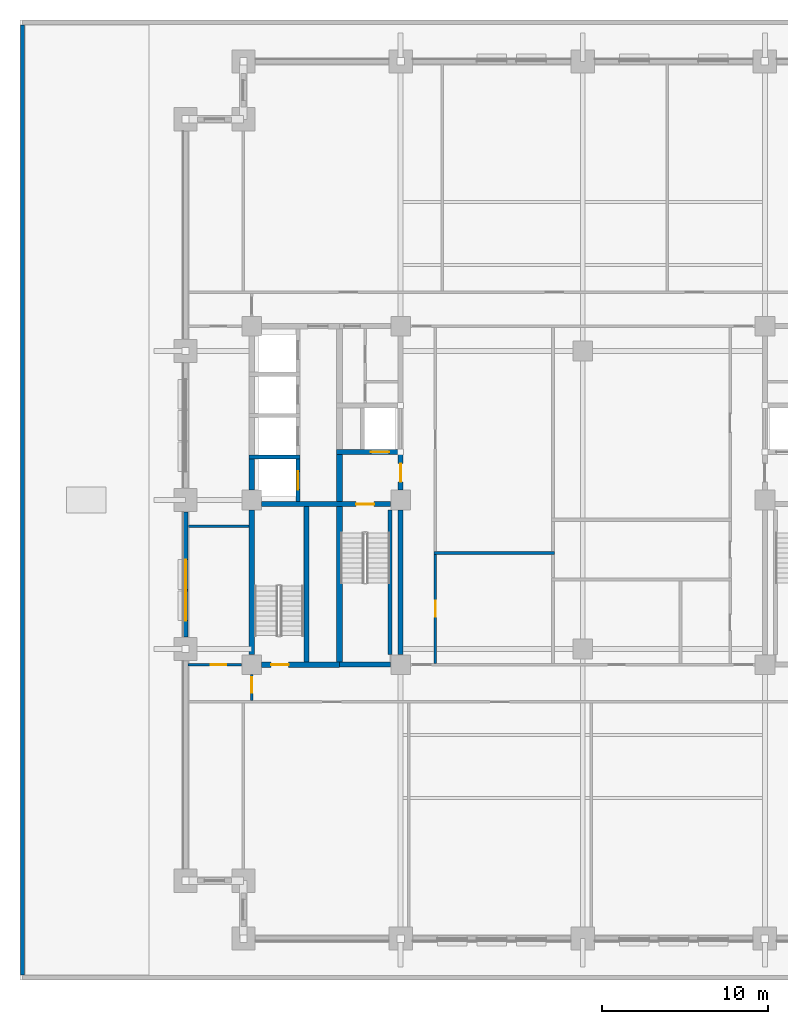
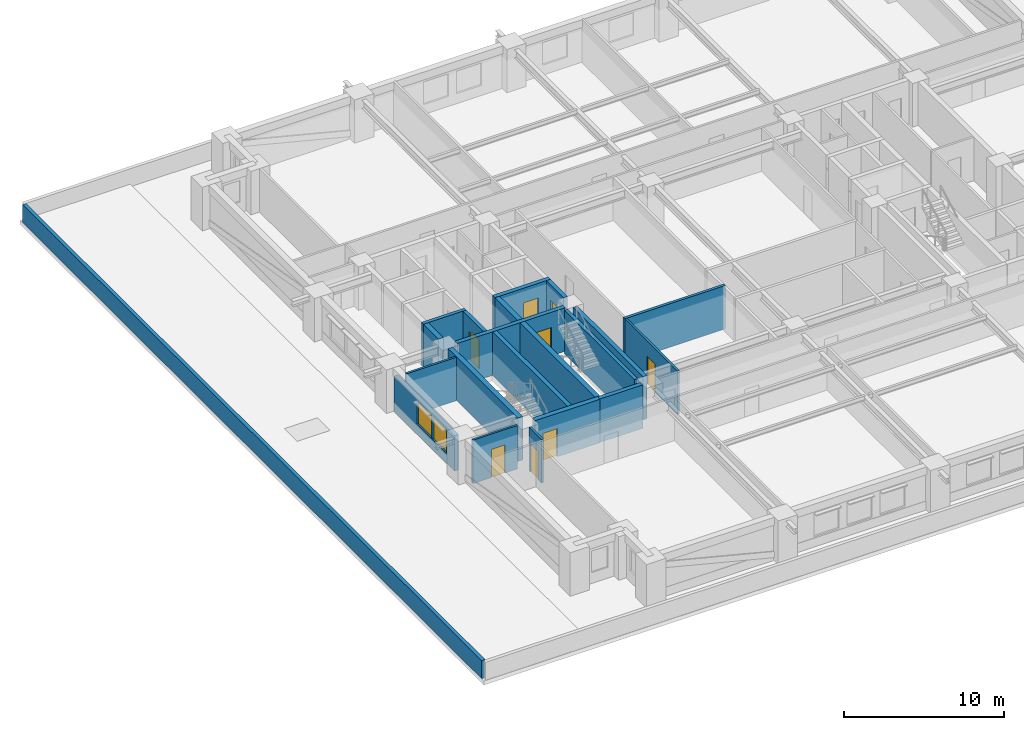
# One storey, part 3 of 12: 21 walls, 8 doors, 2 windows, 10 openings.
"""IFC4 building model written with IfcOpenShell, lengths in metres."""

from ifc_helpers import new_model, si_unit, direction, frame, frame_2d, origin, place, context, subcontext, project, spatial, rectangle, extrude, material, layer, layer_set, type_object, element, fill, save


model = new_model("IFC4")

# Units and contexts
model_context = context("Model", 3, precision=1e-05, world=origin(), true_north=direction((0.0, 1.0)))
body_context = subcontext(model_context, "Body", "Model", "MODEL_VIEW")
ifc_project = project(units=[si_unit("LENGTHUNIT", "METRE"), si_unit("AREAUNIT", "SQUARE_METRE"), si_unit("VOLUMEUNIT", "CUBIC_METRE"), si_unit("PLANEANGLEUNIT", "RADIAN"), si_unit("MASSUNIT", "GRAM", prefix="KILO")], contexts=[model_context])

# Site, building, storey
site_placement = place(None, origin())
site = spatial("IfcSite", under=ifc_project, at=site_placement, CompositionType="ELEMENT")
building_placement = place(site_placement, origin())
building = spatial("IfcBuilding", under=site, at=building_placement, Name="Zulmaris Gate Convention Tower", CompositionType="ELEMENT")
storey_placement = place(building_placement, frame((0.0, 0.0, 27.199951171875)))
storey = spatial("IfcBuildingStorey", under=building, at=storey_placement, Name="L05", CompositionType="ELEMENT", Elevation=27.199951171875)

# Wall
ifc_material_1 = material(Name="Concrete C50/60", Category="concrete")
ifc_layer_1 = layer(ifc_material_1, 0.25, Name="Concrete C50/60")
ifc_layer_set_1 = layer_set([ifc_layer_1], Name="Concrete C50/60")
wall_type_1 = type_object("IfcWallType", Name="CORE-250", PredefinedType="SOLIDWALL", material=ifc_layer_set_1)
wall_1_placement = place(storey_placement, frame((-20.175048828125, 2.60009765625, 0.0), z_axis=(0.0, 0.0, 1.0), x_axis=(1.0, 0.0, 0.0)))
element("IfcWall", 1, at=wall_1_placement, inside=storey, type_object=wall_type_1, Name="WL-L05-009", PredefinedType="SOLIDWALL", context=body_context, shape_type="SweptSolid", body=[
    extrude(rectangle(XDim=3.10009765625, YDim=0.25, at=frame_2d((1.550048828125, 0.0))), origin(), (0.0, 0.0, 1.0), 3.320068359375),
])

# Wall, opening, door
wall_2_placement = place(storey_placement, frame((-17.199951171875, -0.097900390625, 0.0), z_axis=(0.0, 0.0, 1.0), x_axis=(0.0, 1.0, 0.0)))
wall_2 = element("IfcWall", 2, at=wall_2_placement, inside=storey, type_object=wall_type_1, Name="WL-L05-042", PredefinedType="SOLIDWALL", context=body_context, shape_type="SweptSolid", body=[
    extrude(rectangle(XDim=2.57080078125, YDim=0.25, at=frame_2d((1.285400390625, 0.0))), origin(), (0.0, 0.0, 1.0), 3.320068359375),
])
opening_1_placement = place(wall_2_placement, frame((0.722900390625, 0.0, 0.0)))
opening_1 = element("IfcOpeningElement", 3, at=opening_1_placement, cuts=wall_2, Name="Opening D-06", PredefinedType="OPENING", context=body_context, shape_type="SweptSolid", body=[
    extrude(rectangle(XDim=1.10009765625, YDim=2.199951171875, at=frame_2d((0.550048828125, 1.10009765625))), frame((0.0, 0.135009765625, 0.0), z_axis=(0.0, -1.0, 0.0), x_axis=(1.0, 0.0, 0.0)), (0.0, 0.0, 1.0), 0.27001953125),
])
ifc_material_2 = material(Name="Brushed Stainless Steel", Category="steel")
door_type_1 = type_object("IfcDoorType", Name="LD-1100", OperationType="NOTDEFINED", PredefinedType="DOOR", material=ifc_material_2)
door_1_placement = place(opening_1_placement, origin())
door_1 = element("IfcDoor", 4, at=door_1_placement, inside=storey, type_object=door_type_1, Name="L05 Lift Landing Door LP-01 15", OperationType="SLIDING_TO_LEFT", OverallHeight=2.199951171875, OverallWidth=1.10009765625, PredefinedType="DOOR", context=body_context, shape_type="SweptSolid", body=[
    extrude(rectangle(XDim=1.10009765625, YDim=2.199951171875, at=frame_2d((0.550048828125, 1.10009765625))), frame((0.0, 0.02490234375, 0.0), z_axis=(0.0, -1.0, 0.0), x_axis=(1.0, 0.0, 0.0)), (0.0, 0.0, 1.0), 0.050048828125),
])
fill(opening_1, door_1)

# Walls
wall_3_placement = place(storey_placement, frame((-11.64990234375, -9.345947265625, 0.0), z_axis=(0.0, 0.0, 1.0), x_axis=(0.0, 1.0, 0.0)))
element("IfcWall", 5, at=wall_3_placement, inside=storey, type_object=wall_type_1, Name="WL-L05-052", PredefinedType="SOLIDWALL", context=body_context, shape_type="SweptSolid", body=[
    extrude(rectangle(XDim=8.741943359375, YDim=0.25, at=frame_2d((4.37109375, 0.0))), origin(), (0.0, 0.0, 1.0), 3.320068359375),
])
ifc_layer_2 = layer(ifc_material_1, 0.300048828125, Name="Concrete C50/60")
ifc_layer_set_2 = layer_set([ifc_layer_2], Name="Concrete C50/60")
wall_type_2 = type_object("IfcWallType", Name="CORE-300", PredefinedType="SHEAR", material=ifc_layer_set_2)
wall_4_placement = place(storey_placement, frame((-14.699951171875, -9.949951171875, 0.0), z_axis=(0.0, 0.0, 1.0), x_axis=(1.0, 0.0, 0.0)))
element("IfcWall", 6, at=wall_4_placement, inside=storey, type_object=wall_type_2, Name="WL-L05-002", PredefinedType="SHEAR", context=body_context, shape_type="SweptSolid", body=[
    extrude(rectangle(XDim=3.095947265625, YDim=0.300048828125, at=frame_2d((1.5478515625, 0.0))), origin(), (0.0, 0.0, 1.0), 3.320068359375),
])

# Wall, opening, door
wall_5_placement = place(storey_placement, frame((-19.39599609375, -0.25, 0.0), z_axis=(0.0, 0.0, 1.0), x_axis=(1.0, 0.0, 0.0)))
wall_5 = element("IfcWall", 7, at=wall_5_placement, inside=storey, type_object=wall_type_2, Name="WL-L05-007", PredefinedType="SHEAR", context=body_context, shape_type="SweptSolid", body=[
    extrude(rectangle(XDim=7.7919921875, YDim=0.300048828125, at=frame_2d((3.89599609375, 0.0))), origin(), (0.0, 0.0, 1.0), 3.320068359375),
])
opening_2_placement = place(wall_5_placement, frame((5.696044921875, 0.0, 0.0)))
opening_2 = element("IfcOpeningElement", 8, at=opening_2_placement, cuts=wall_5, Name="Opening D-08", PredefinedType="OPENING", context=body_context, shape_type="SweptSolid", body=[
    extrude(rectangle(XDim=1.10009765625, YDim=2.14990234375, at=frame_2d((0.550048828125, 1.074951171875))), frame((0.0, 0.16015625, 0.0), z_axis=(0.0, -1.0, 0.0), x_axis=(1.0, 0.0, 0.0)), (0.0, 0.0, 1.0), 0.320068359375),
])
ifc_material_3 = material(Name="Fire-Rated Steel", Category="steel")
door_type_2 = type_object("IfcDoorType", Name="DR-1100-FD", OperationType="NOTDEFINED", PredefinedType="DOOR", material=ifc_material_3)
door_2_placement = place(opening_2_placement, origin())
door_2 = element("IfcDoor", 9, at=door_2_placement, inside=storey, type_object=door_type_2, Name="L05 Exit Stair ST-1 Door 01", OperationType="SINGLE_SWING_LEFT", OverallHeight=2.14990234375, OverallWidth=1.10009765625, PredefinedType="DOOR", context=body_context, shape_type="SweptSolid", body=[
    extrude(rectangle(XDim=1.10009765625, YDim=2.14990234375, at=frame_2d((0.550048828125, 1.074951171875))), frame((0.0, 0.02490234375, 0.0), z_axis=(0.0, -1.0, 0.0), x_axis=(1.0, 0.0, 0.0)), (0.0, 0.0, 1.0), 0.050048828125),
])
fill(opening_2, door_2)

wall_6_placement = place(storey_placement, frame((-14.875, 2.89990234375, 0.0), z_axis=(0.0, 0.0, 1.0), x_axis=(1.0, 0.0, 0.0)))
wall_6 = element("IfcWall", 10, at=wall_6_placement, inside=storey, type_object=wall_type_2, Name="WL-L05-010", PredefinedType="SHEAR", context=body_context, shape_type="SweptSolid", body=[
    extrude(rectangle(XDim=4.02490234375, YDim=0.300048828125, at=frame_2d((2.012451171875, 0.0))), origin(), (0.0, 0.0, 1.0), 3.320068359375),
])
opening_3_placement = place(wall_6_placement, frame((2.074951171875, 0.0, 0.0)))
opening_3 = element("IfcOpeningElement", 11, at=opening_3_placement, cuts=wall_6, Name="Opening D-06", PredefinedType="OPENING", context=body_context, shape_type="SweptSolid", body=[
    extrude(rectangle(XDim=1.10009765625, YDim=2.199951171875, at=frame_2d((0.550048828125, 1.10009765625))), frame((0.0, 0.16015625, 0.0), z_axis=(0.0, -1.0, 0.0), x_axis=(1.0, 0.0, 0.0)), (0.0, 0.0, 1.0), 0.320068359375),
])
door_3_placement = place(opening_3_placement, origin())
door_3 = element("IfcDoor", 12, at=door_3_placement, inside=storey, type_object=door_type_1, Name="L05 Lift Landing Door LF-01 03", OperationType="SLIDING_TO_LEFT", OverallHeight=2.199951171875, OverallWidth=1.10009765625, PredefinedType="DOOR", context=body_context, shape_type="SweptSolid", body=[
    extrude(rectangle(XDim=1.10009765625, YDim=2.199951171875, at=frame_2d((0.550048828125, 1.10009765625))), frame((0.0, 0.02490234375, 0.0), z_axis=(0.0, -1.0, 0.0), x_axis=(1.0, 0.0, 0.0)), (0.0, 0.0, 1.0), 0.050048828125),
])
fill(opening_3, door_3)

# Walls
wall_7_placement = place(storey_placement, frame((-16.699951171875, -9.77294921875, 0.0), z_axis=(0.0, 0.0, 1.0), x_axis=(0.0, 1.0, 0.0)))
element("IfcWall", 13, at=wall_7_placement, inside=storey, type_object=wall_type_2, Name="WL-L05-046", PredefinedType="SHEAR", context=body_context, shape_type="SweptSolid", body=[
    extrude(rectangle(XDim=9.370849609375, YDim=0.300048828125, at=frame_2d((4.685546875, 0.0))), origin(), (0.0, 0.0, 1.0), 3.320068359375),
])
wall_8_placement = place(storey_placement, frame((-11.0, -9.345947265625, 0.0), z_axis=(0.0, 0.0, 1.0), x_axis=(0.0, 1.0, 0.0)))
element("IfcWall", 14, at=wall_8_placement, inside=storey, type_object=wall_type_2, Name="WL-L05-053", PredefinedType="SHEAR", context=body_context, shape_type="SweptSolid", body=[
    extrude(rectangle(XDim=8.741943359375, YDim=0.300048828125, at=frame_2d((4.37109375, 0.0))), origin(), (0.0, 0.0, 1.0), 3.320068359375),
])

# Wall, opening, door
wall_9_placement = place(storey_placement, frame((-11.0, 0.60400390625, 0.0), z_axis=(0.0, 0.0, 1.0), x_axis=(0.0, 1.0, 0.0)))
wall_9 = element("IfcWall", 15, at=wall_9_placement, inside=storey, type_object=wall_type_2, Name="WL-L05-054", PredefinedType="SHEAR", context=body_context, shape_type="SweptSolid", body=[
    extrude(rectangle(XDim=2.14404296875, YDim=0.300048828125, at=frame_2d((1.072021484375, 0.0))), origin(), (0.0, 0.0, 1.0), 3.320068359375),
])
opening_4_placement = place(wall_9_placement, frame((0.49609375, 0.0, 0.0)))
opening_4 = element("IfcOpeningElement", 16, at=opening_4_placement, cuts=wall_9, Name="Opening D-08", PredefinedType="OPENING", context=body_context, shape_type="SweptSolid", body=[
    extrude(rectangle(XDim=1.10009765625, YDim=2.14990234375, at=frame_2d((0.550048828125, 1.074951171875))), frame((0.0, 0.16015625, 0.0), z_axis=(0.0, -1.0, 0.0), x_axis=(1.0, 0.0, 0.0)), (0.0, 0.0, 1.0), 0.320068359375),
])
door_4_placement = place(opening_4_placement, origin())
door_4 = element("IfcDoor", 17, at=door_4_placement, inside=storey, type_object=door_type_2, Name="L05 West Firefighting Lobby Door 02", OperationType="SINGLE_SWING_RIGHT", OverallHeight=2.14990234375, OverallWidth=1.10009765625, PredefinedType="DOOR", context=body_context, shape_type="SweptSolid", body=[
    extrude(rectangle(XDim=1.10009765625, YDim=2.14990234375, at=frame_2d((0.550048828125, 1.074951171875))), frame((0.0, 0.02490234375, 0.0), z_axis=(0.0, -1.0, 0.0), x_axis=(1.0, 0.0, 0.0)), (0.0, 0.0, 1.0), 0.050048828125),
])
fill(opening_4, door_4)

ifc_material_4 = material(Name="Concrete C55/67", Category="concrete")
ifc_layer_3 = layer(ifc_material_4, 0.35009765625, Name="Concrete C55/67")
ifc_layer_set_3 = layer_set([ifc_layer_3], Name="Concrete C55/67")
wall_type_3 = type_object("IfcWallType", Name="CORE-350", PredefinedType="SHEAR", material=ifc_layer_set_3)
wall_10_placement = place(storey_placement, frame((-19.39599609375, -9.949951171875, 0.0), z_axis=(0.0, 0.0, 1.0), x_axis=(1.0, 0.0, 0.0)))
wall_10 = element("IfcWall", 18, at=wall_10_placement, inside=storey, type_object=wall_type_3, Name="WL-L05-001", PredefinedType="SHEAR", context=body_context, shape_type="SweptSolid", body=[
    extrude(rectangle(XDim=4.696044921875, YDim=0.35009765625, at=frame_2d((2.34814453125, 0.0))), origin(), (0.0, 0.0, 1.0), 3.320068359375),
])
opening_5_placement = place(wall_10_placement, frame((0.571044921875, 0.0, 0.0)))
opening_5 = element("IfcOpeningElement", 19, at=opening_5_placement, cuts=wall_10, Name="Opening D-09", PredefinedType="OPENING", context=body_context, shape_type="SweptSolid", body=[
    extrude(rectangle(XDim=1.050048828125, YDim=2.14990234375, at=frame_2d((0.52490234375, 1.074951171875))), frame((0.0, 0.18505859375, 0.0), z_axis=(0.0, -1.0, 0.0), x_axis=(1.0, 0.0, 0.0)), (0.0, 0.0, 1.0), 0.3701171875),
])
door_type_3 = type_object("IfcDoorType", Name="DR-1050-FD", OperationType="NOTDEFINED", PredefinedType="DOOR", material=ifc_material_3)
door_5_placement = place(opening_5_placement, origin())
door_5 = element("IfcDoor", 20, at=door_5_placement, inside=storey, type_object=door_type_3, Name="L05 Exit Stair ST-3 Door 13", OperationType="SINGLE_SWING_LEFT", OverallHeight=2.14990234375, OverallWidth=1.050048828125, PredefinedType="DOOR", context=body_context, shape_type="SweptSolid", body=[
    extrude(rectangle(XDim=1.050048828125, YDim=2.14990234375, at=frame_2d((0.52490234375, 1.074951171875))), frame((0.0, 0.02490234375, 0.0), z_axis=(0.0, -1.0, 0.0), x_axis=(1.0, 0.0, 0.0)), (0.0, 0.0, 1.0), 0.050048828125),
])
fill(opening_5, door_5)

# Walls
wall_11_placement = place(storey_placement, frame((-20.0, -9.345947265625, 0.0), z_axis=(0.0, 0.0, 1.0), x_axis=(0.0, 1.0, 0.0)))
element("IfcWall", 21, at=wall_11_placement, inside=storey, type_object=wall_type_3, Name="WL-L05-037", PredefinedType="SHEAR", context=body_context, shape_type="SweptSolid", body=[
    extrude(rectangle(XDim=8.741943359375, YDim=0.35009765625, at=frame_2d((4.37109375, 0.0))), origin(), (0.0, 0.0, 1.0), 3.320068359375),
])
wall_12_placement = place(storey_placement, frame((-20.0, 0.60400390625, 0.0), z_axis=(0.0, 0.0, 1.0), x_axis=(0.0, 1.0, 0.0)))
element("IfcWall", 22, at=wall_12_placement, inside=storey, type_object=wall_type_3, Name="WL-L05-038", PredefinedType="SHEAR", context=body_context, shape_type="SweptSolid", body=[
    extrude(rectangle(XDim=1.868896484375, YDim=0.35009765625, at=frame_2d((0.9345703125, 0.0))), origin(), (0.0, 0.0, 1.0), 3.320068359375),
])
wall_13_placement = place(storey_placement, frame((-14.699951171875, -9.77294921875, 0.0), z_axis=(0.0, 0.0, 1.0), x_axis=(0.0, 1.0, 0.0)))
element("IfcWall", 23, at=wall_13_placement, inside=storey, type_object=wall_type_3, Name="WL-L05-047", PredefinedType="SHEAR", context=body_context, shape_type="SweptSolid", body=[
    extrude(rectangle(XDim=9.370849609375, YDim=0.35009765625, at=frame_2d((4.685546875, 0.0))), origin(), (0.0, 0.0, 1.0), 3.320068359375),
])
wall_14_placement = place(storey_placement, frame((-14.699951171875, -0.097900390625, 0.0), z_axis=(0.0, 0.0, 1.0), x_axis=(0.0, 1.0, 0.0)))
element("IfcWall", 24, at=wall_14_placement, inside=storey, type_object=wall_type_3, Name="WL-L05-048", PredefinedType="SHEAR", context=body_context, shape_type="SweptSolid", body=[
    extrude(rectangle(XDim=2.845947265625, YDim=0.35009765625, at=frame_2d((1.4228515625, 0.0))), origin(), (0.0, 0.0, 1.0), 3.320068359375),
])

# Wall, opening, door
ifc_material_5 = material(Name="Gypsum Metal Stud Partition")
ifc_layer_4 = layer(ifc_material_5, 0.14990234375, Name="Gypsum Metal Stud Partition")
ifc_layer_set_4 = layer_set([ifc_layer_4], Name="Gypsum Metal Stud Partition")
wall_type_4 = type_object("IfcWallType", Name="PART-150", PredefinedType="PARTITIONING", material=ifc_layer_set_4)
wall_15_placement = place(storey_placement, frame((-23.8349609375, -9.949951171875, 0.0), z_axis=(0.0, 0.0, 1.0), x_axis=(1.0, 0.0, 0.0)))
wall_15 = element("IfcWall", 25, at=wall_15_placement, inside=storey, type_object=wall_type_4, Name="WL-L05-021", PredefinedType="PARTITIONING", context=body_context, shape_type="SweptSolid", body=[
    extrude(rectangle(XDim=3.22900390625, YDim=0.14990234375, at=frame_2d((1.614501953125, 0.0))), origin(), (0.0, 0.0, 1.0), 3.320068359375),
])
opening_6_placement = place(wall_15_placement, frame((1.360107421875, 0.0, 0.0)))
opening_6 = element("IfcOpeningElement", 26, at=opening_6_placement, cuts=wall_15, Name="Opening D-11", PredefinedType="OPENING", context=body_context, shape_type="SweptSolid", body=[
    extrude(rectangle(XDim=0.949951171875, YDim=2.14990234375, at=frame_2d((0.47509765625, 1.074951171875))), frame((0.0, 0.0849609375, 0.0), z_axis=(0.0, -1.0, 0.0), x_axis=(1.0, 0.0, 0.0)), (0.0, 0.0, 1.0), 0.169921875),
])
ifc_material_6 = material(Name="Fire-Rated Timber", Category="wood")
door_type_4 = type_object("IfcDoorType", Name="DR-950-FD", OperationType="NOTDEFINED", PredefinedType="DOOR", material=ifc_material_6)
door_6_placement = place(opening_6_placement, origin())
door_6 = element("IfcDoor", 27, at=door_6_placement, inside=storey, type_object=door_type_4, Name="L05 SW Partner Door 43", OperationType="SINGLE_SWING_LEFT", OverallHeight=2.14990234375, OverallWidth=0.949951171875, PredefinedType="DOOR", context=body_context, shape_type="SweptSolid", body=[
    extrude(rectangle(XDim=0.949951171875, YDim=2.14990234375, at=frame_2d((0.47509765625, 1.074951171875))), frame((0.0, 0.02490234375, 0.0), z_axis=(0.0, -1.0, 0.0), x_axis=(1.0, 0.0, 0.0)), (0.0, 0.0, 1.0), 0.050048828125),
])
fill(opening_6, door_6)

# Wall
wall_16_placement = place(storey_placement, frame((-23.8349609375, -1.60009765625, 0.0), z_axis=(0.0, 0.0, 1.0), x_axis=(1.0, 0.0, 0.0)))
element("IfcWall", 28, at=wall_16_placement, inside=storey, type_object=wall_type_4, Name="WL-L05-028", PredefinedType="PARTITIONING", context=body_context, shape_type="SweptSolid", body=[
    extrude(rectangle(XDim=3.656982421875, YDim=0.14990234375, at=frame_2d((1.82861328125, 0.0))), origin(), (0.0, 0.0, 1.0), 3.320068359375),
])

# Wall, opening, door
wall_17_placement = place(storey_placement, frame((-20.0, -12.1220703125, 0.0), z_axis=(0.0, 0.0, 1.0), x_axis=(0.0, 1.0, 0.0)))
wall_17 = element("IfcWall", 29, at=wall_17_placement, inside=storey, type_object=wall_type_4, Name="WL-L05-074", PredefinedType="PARTITIONING", context=body_context, shape_type="SweptSolid", body=[
    extrude(rectangle(XDim=1.566162109375, YDim=0.14990234375, at=frame_2d((0.783203125, 0.0))), origin(), (0.0, 0.0, 1.0), 3.320068359375),
])
opening_7_placement = place(wall_17_placement, frame((0.466064453125, 0.0, 0.0)))
opening_7 = element("IfcOpeningElement", 30, at=opening_7_placement, cuts=wall_17, Name="Opening D-11", PredefinedType="OPENING", context=body_context, shape_type="SweptSolid", body=[
    extrude(rectangle(XDim=0.949951171875, YDim=2.14990234375, at=frame_2d((0.47509765625, 1.074951171875))), frame((0.0, 0.0849609375, 0.0), z_axis=(0.0, -1.0, 0.0), x_axis=(1.0, 0.0, 0.0)), (0.0, 0.0, 1.0), 0.169921875),
])
door_7_placement = place(opening_7_placement, origin())
door_7 = element("IfcDoor", 31, at=door_7_placement, inside=storey, type_object=door_type_4, Name="L05 SW Spur Door 41", OperationType="SINGLE_SWING_LEFT", OverallHeight=2.14990234375, OverallWidth=0.949951171875, PredefinedType="DOOR", context=body_context, shape_type="SweptSolid", body=[
    extrude(rectangle(XDim=0.949951171875, YDim=2.14990234375, at=frame_2d((0.47509765625, 1.074951171875))), frame((0.0, 0.02490234375, 0.0), z_axis=(0.0, -1.0, 0.0), x_axis=(1.0, 0.0, 0.0)), (0.0, 0.0, 1.0), 0.050048828125),
])
fill(opening_7, door_7)

wall_18_placement = place(storey_placement, frame((-8.89990234375, -9.8720703125, 0.0), z_axis=(0.0, 0.0, 1.0), x_axis=(0.0, 1.0, 0.0)))
wall_18 = element("IfcWall", 32, at=wall_18_placement, inside=storey, type_object=wall_type_4, Name="WL-L05-079", PredefinedType="PARTITIONING", context=body_context, shape_type="SweptSolid", body=[
    extrude(rectangle(XDim=6.569091796875, YDim=0.14990234375, at=frame_2d((3.28466796875, 0.0))), origin(), (0.0, 0.0, 1.0), 3.320068359375),
])
opening_8_placement = place(wall_18_placement, frame((2.826904296875, 0.0, 0.0)))
opening_8 = element("IfcOpeningElement", 33, at=opening_8_placement, cuts=wall_18, Name="Opening D-11", PredefinedType="OPENING", context=body_context, shape_type="SweptSolid", body=[
    extrude(rectangle(XDim=0.949951171875, YDim=2.14990234375, at=frame_2d((0.47509765625, 1.074951171875))), frame((0.0, 0.0849609375, 0.0), z_axis=(0.0, -1.0, 0.0), x_axis=(1.0, 0.0, 0.0)), (0.0, 0.0, 1.0), 0.169921875),
])
door_8_placement = place(opening_8_placement, origin())
door_8 = element("IfcDoor", 34, at=door_8_placement, inside=storey, type_object=door_type_4, Name="L05 Wellness Pantry Door 35", OperationType="SINGLE_SWING_LEFT", OverallHeight=2.14990234375, OverallWidth=0.949951171875, PredefinedType="DOOR", context=body_context, shape_type="SweptSolid", body=[
    extrude(rectangle(XDim=0.949951171875, YDim=2.14990234375, at=frame_2d((0.47509765625, 1.074951171875))), frame((0.0, 0.02490234375, 0.0), z_axis=(0.0, -1.0, 0.0), x_axis=(1.0, 0.0, 0.0)), (0.0, 0.0, 1.0), 0.050048828125),
])
fill(opening_8, door_8)

# Walls
ifc_material_7 = material(Name="Autoclaved Aerated Concrete Block and Plasterboard", Category="concrete")
ifc_layer_5 = layer(ifc_material_7, 0.199951171875, Name="Autoclaved Aerated Concrete Block and Plasterboard")
ifc_layer_set_5 = layer_set([ifc_layer_5], Name="Autoclaved Aerated Concrete Block and Plasterboard")
wall_type_5 = type_object("IfcWallType", Name="PART-200", PredefinedType="PARTITIONING", material=ifc_layer_set_5)
wall_19_placement = place(storey_placement, frame((-8.97509765625, -3.199951171875, 0.0), z_axis=(0.0, 0.0, 1.0), x_axis=(1.0, 0.0, 0.0)))
element("IfcWall", 35, at=wall_19_placement, inside=storey, type_object=wall_type_5, Name="WL-L05-027", PredefinedType="PARTITIONING", context=body_context, shape_type="SweptSolid", body=[
    extrude(rectangle(XDim=7.275146484375, YDim=0.199951171875, at=frame_2d((3.6376953125, 0.0))), origin(), (0.0, 0.0, 1.0), 3.320068359375),
])
ifc_material_8 = material(Name="Precast concrete C40/50", Category="concrete")
ifc_layer_6 = layer(ifc_material_8, 0.25, Name="Precast concrete C40/50")
ifc_layer_set_6 = layer_set([ifc_layer_6], Name="Precast concrete C40/50")
wall_type_6 = type_object("IfcWallType", Name="PRECAST-PARAPET-250", PredefinedType="PARAPET", material=ifc_layer_set_6)
wall_20_placement = place(storey_placement, frame((-33.85009765625, 28.699951171875, 0.0), z_axis=(0.0, 0.0, 1.0), x_axis=(0.0, -1.0, 0.0)))
element("IfcWall", 36, at=wall_20_placement, inside=storey, type_object=wall_type_6, Name="PRP-L05-POD-W", PredefinedType="PARAPET", context=body_context, shape_type="SweptSolid", body=[
    extrude(rectangle(XDim=57.39990234375, YDim=0.25, at=frame_2d((28.699951171875, 0.0))), origin(), (0.0, 0.0, 1.0), 1.3701171875),
])

# Wall, openings, windows
ifc_layer_7 = layer(ifc_material_8, 0.300048828125, Name="Precast concrete C40/50")
ifc_layer_set_7 = layer_set([ifc_layer_7], Name="Precast concrete C40/50")
wall_type_7 = type_object("IfcWallType", Name="PRECAST-PIER-300", PredefinedType="STANDARD", material=ifc_layer_set_7)
wall_21_placement = place(storey_placement, frame((-24.0, -0.72998046875, 0.0), z_axis=(0.0, 0.0, 1.0), x_axis=(0.0, -1.0, 0.0)))
wall_21 = element("IfcWall", 37, at=wall_21_placement, inside=storey, type_object=wall_type_7, Name="EW-L05-W-1_0", PredefinedType="STANDARD", context=body_context, shape_type="SweptSolid", body=[
    extrude(rectangle(XDim=7.5400390625, YDim=0.300048828125, at=frame_2d((3.77001953125, 0.0))), origin(), (0.0, 0.0, 1.0), 2.712158203125),
])
opening_9_placement = place(wall_21_placement, frame((2.8701171875, 0.0, 0.780029296875)))
opening_9 = element("IfcOpeningElement", 38, at=opening_9_placement, cuts=wall_21, Name="Opening W-02", PredefinedType="OPENING", context=body_context, shape_type="SweptSolid", body=[
    extrude(rectangle(XDim=1.800048828125, YDim=1.719970703125, at=frame_2d((0.89990234375, 0.85986328125))), frame((0.0, 0.16015625, 0.0), z_axis=(0.0, -1.0, 0.0), x_axis=(1.0, 0.0, 0.0)), (0.0, 0.0, 1.0), 0.320068359375),
])
opening_10_placement = place(wall_21_placement, frame((4.7548828125, 0.0, 0.780029296875)))
opening_10 = element("IfcOpeningElement", 39, at=opening_10_placement, cuts=wall_21, Name="Opening W-02", PredefinedType="OPENING", context=body_context, shape_type="SweptSolid", body=[
    extrude(rectangle(XDim=1.800048828125, YDim=1.719970703125, at=frame_2d((0.89990234375, 0.85986328125))), frame((0.0, 0.16015625, 0.0), z_axis=(0.0, -1.0, 0.0), x_axis=(1.0, 0.0, 0.0)), (0.0, 0.0, 1.0), 0.320068359375),
])
ifc_material_9 = material(Name="Low-E Laminated Double Glazing in Aluminium Frame", Category="aluminium")
window_type = type_object("IfcWindowType", Name="WIN-1800x2200", PartitioningType="SINGLE_PANEL", PredefinedType="WINDOW", material=ifc_material_9)
window_1_placement = place(opening_9_placement, origin())
window_1 = element("IfcWindow", 40, at=window_1_placement, inside=storey, type_object=window_type, Name="WN-EW-L05-W-1_0-2", OverallHeight=1.719970703125, OverallWidth=1.800048828125, PartitioningType="SINGLE_PANEL", PredefinedType="WINDOW", context=body_context, shape_type="SweptSolid", body=[
    extrude(rectangle(XDim=1.800048828125, YDim=1.719970703125, at=frame_2d((0.89990234375, 0.85986328125))), frame((0.0, 0.030029296875, 0.0), z_axis=(0.0, -1.0, 0.0), x_axis=(1.0, 0.0, 0.0)), (0.0, 0.0, 1.0), 0.06005859375),
])
fill(opening_9, window_1)
window_2_placement = place(opening_10_placement, origin())
window_2 = element("IfcWindow", 41, at=window_2_placement, inside=storey, type_object=window_type, Name="WN-EW-L05-W-1_0-3", OverallHeight=1.719970703125, OverallWidth=1.800048828125, PartitioningType="SINGLE_PANEL", PredefinedType="WINDOW", context=body_context, shape_type="SweptSolid", body=[
    extrude(rectangle(XDim=1.800048828125, YDim=1.719970703125, at=frame_2d((0.89990234375, 0.85986328125))), frame((0.0, 0.030029296875, 0.0), z_axis=(0.0, -1.0, 0.0), x_axis=(1.0, 0.0, 0.0)), (0.0, 0.0, 1.0), 0.06005859375),
])
fill(opening_10, window_2)

save(model, "model.ifc")
